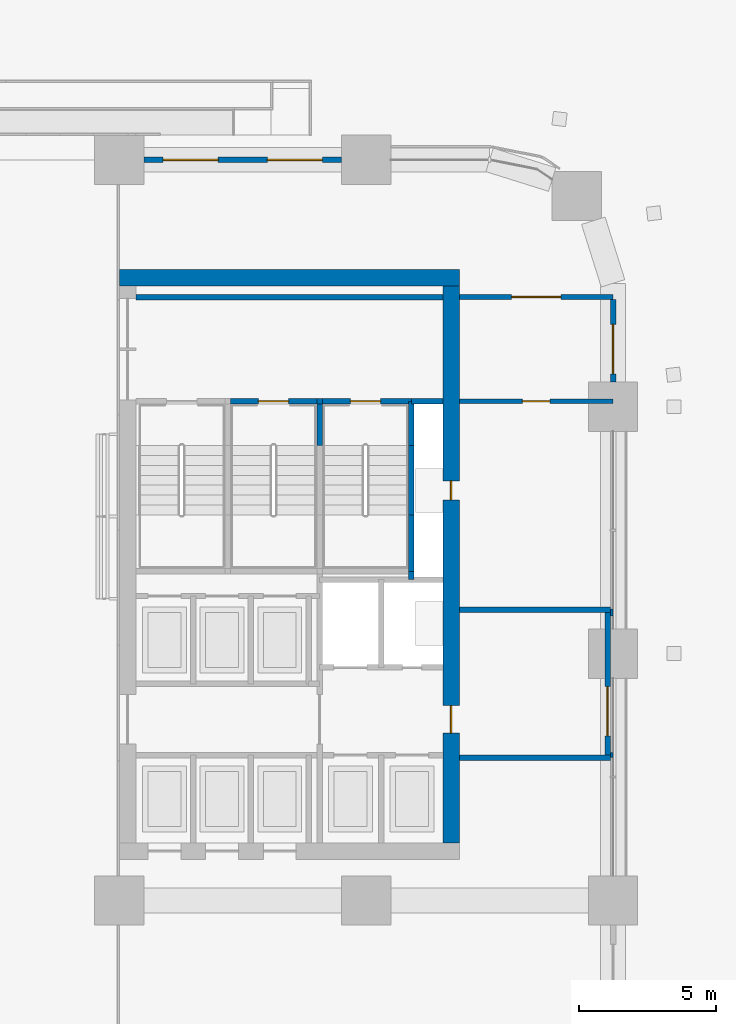
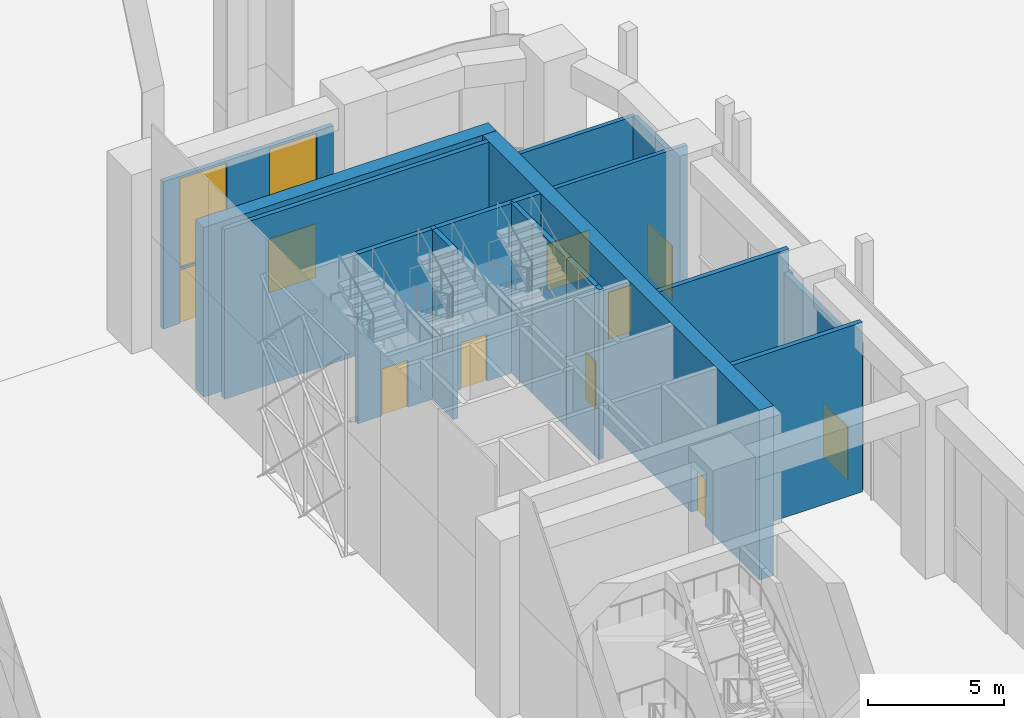
# One storey, part 37 of 64: 21 walls, 10 doors, 2 windows, 12 openings.
"""IFC4 building model written with IfcOpenShell, lengths in metres."""

from ifc_helpers import new_model, si_unit, direction, frame, frame_2d, origin, place, context, subcontext, project, spatial, rectangle, extrude, material, layer, layer_set, type_object, element, fill, save


model = new_model("IFC4")

# Units and contexts
model_context = context("Model", 3, precision=1e-05, world=origin(), true_north=direction((0.0, 1.0)))
body_context = subcontext(model_context, "Body", "Model", "MODEL_VIEW")
ifc_project = project(units=[si_unit("LENGTHUNIT", "METRE"), si_unit("AREAUNIT", "SQUARE_METRE"), si_unit("VOLUMEUNIT", "CUBIC_METRE"), si_unit("PLANEANGLEUNIT", "RADIAN"), si_unit("MASSUNIT", "GRAM", prefix="KILO")], contexts=[model_context])

# Site, building, storey
site_placement = place(None, origin())
site = spatial("IfcSite", under=ifc_project, at=site_placement, CompositionType="ELEMENT")
building_placement = place(site_placement, origin())
building = spatial("IfcBuilding", under=site, at=building_placement, Name="Tessera Arch", CompositionType="ELEMENT")
storey_placement = place(building_placement, origin())
storey = spatial("IfcBuildingStorey", under=building, at=storey_placement, Name="L00", CompositionType="ELEMENT", Elevation=0.0)

# Walls
ifc_material_1 = material(Name="Gypsum board on steel stud", Category="steel")
ifc_layer_1 = layer(ifc_material_1, 0.125)
ifc_layer_set_1 = layer_set([ifc_layer_1], Name="Core partition 125 EI 60")
wall_type_1 = type_object("IfcWallType", Name="Core partition 125 EI 60", PredefinedType="PARTITIONING", material=ifc_layer_set_1)
wall_1_placement = place(storey_placement, frame((36.60009765625, 49.0, 0.0), z_axis=(0.0, 0.0, 1.0), x_axis=(1.0, 0.0, 0.0)))
element("IfcWall", 1, at=wall_1_placement, inside=storey, type_object=wall_type_1, Name="L00 C1 partition wall 37", PredefinedType="PARTITIONING", context=body_context, shape_type="SweptSolid", body=[
    extrude(rectangle(XDim=11.199951171875, YDim=0.199951171875, at=frame_2d((5.60009765625, 0.0))), origin(), (0.0, 0.0, 1.0), 7.590087890625),
])
ifc_material_2 = material(Name="Concrete C70/85", Category="concrete")
ifc_layer_2 = layer(ifc_material_2, 0.60009765625)
ifc_layer_set_2 = layer_set([ifc_layer_2], Name="Core shell wall 600 C70-85")
wall_type_2 = type_object("IfcWallType", Name="Core shell wall 600 C70-85", PredefinedType="SHEAR", material=ifc_layer_set_2)
wall_2_placement = place(storey_placement, frame((36.0, 49.699951171875, 0.0), z_axis=(0.0, 0.0, 1.0), x_axis=(1.0, 0.0, 0.0)))
element("IfcWall", 2, at=wall_2_placement, inside=storey, type_object=wall_type_2, Name="L00 C1 core wall N", PredefinedType="SHEAR", context=body_context, shape_type="SweptSolid", body=[
    extrude(rectangle(XDim=12.39990234375, YDim=0.60009765625, at=frame_2d((6.199951171875, 0.0))), origin(), (0.0, 0.0, 1.0), 7.590087890625),
])

# Wall, openings, doors
wall_3_placement = place(storey_placement, frame((48.10009765625, 29.10009765625, 0.0), z_axis=(0.0, 0.0, 1.0), x_axis=(0.0, 1.0, 0.0)))
wall_3 = element("IfcWall", 3, at=wall_3_placement, inside=storey, type_object=wall_type_2, Name="L00 C1 core wall E", PredefinedType="SHEAR", context=body_context, shape_type="SweptSolid", body=[
    extrude(rectangle(XDim=20.2998046875, YDim=0.60009765625, at=frame_2d((10.14990234375, 0.0))), origin(), (0.0, 0.0, 1.0), 7.590087890625),
])
opening_1_placement = place(wall_3_placement, frame((12.5, 0.0, 0.0)))
opening_1 = element("IfcOpeningElement", 4, at=opening_1_placement, cuts=wall_3, Name="Opening L00-C15", PredefinedType="OPENING", context=body_context, shape_type="SweptSolid", body=[
    extrude(rectangle(XDim=0.699951171875, YDim=2.10009765625, at=frame_2d((0.35009765625, 1.050048828125))), frame((0.0, 0.31005859375, 0.0), z_axis=(0.0, -1.0, 0.0), x_axis=(1.0, 0.0, 0.0)), (0.0, 0.0, 1.0), 0.6201171875),
])
opening_2_placement = place(wall_3_placement, frame((4.0, 0.0, 0.0)))
opening_2 = element("IfcOpeningElement", 5, at=opening_2_placement, cuts=wall_3, Name="Opening L00-C81", PredefinedType="OPENING", context=body_context, shape_type="SweptSolid", body=[
    extrude(rectangle(XDim=1.0, YDim=2.10009765625, at=frame_2d((0.5, 1.050048828125))), frame((0.0, 0.31005859375, 0.0), z_axis=(0.0, -1.0, 0.0), x_axis=(1.0, 0.0, 0.0)), (0.0, 0.0, 1.0), 0.6201171875),
])
ifc_material_3 = material(Name="Steel door leaf", Category="steel")
door_type_1 = type_object("IfcDoorType", Name="Fire command room door FD60 1000 x 2100", OperationType="SINGLE_SWING_LEFT", PredefinedType="DOOR", material=ifc_material_3)
door_1_placement = place(opening_2_placement, origin())
door_1 = element("IfcDoor", 6, at=door_1_placement, inside=storey, type_object=door_type_1, Name="Fire command room door C81 type D11", OperationType="SINGLE_SWING_LEFT", OverallHeight=2.10009765625, OverallWidth=1.0, PredefinedType="DOOR", context=body_context, shape_type="SweptSolid", body=[
    extrude(rectangle(XDim=1.0, YDim=2.10009765625, at=frame_2d((0.5, 1.050048828125))), frame((0.0, 0.02490234375, 0.0), z_axis=(0.0, -1.0, 0.0), x_axis=(1.0, 0.0, 0.0)), (0.0, 0.0, 1.0), 0.050048828125),
])
fill(opening_2, door_1)
ifc_material_4 = material(Name="Steel door leaf", Category="steel")
door_type_2 = type_object("IfcDoorType", Name="Service shaft door FD60 700 x 2100", OperationType="SINGLE_SWING_LEFT", PredefinedType="DOOR", material=ifc_material_4)
door_2_placement = place(opening_1_placement, origin())
door_2 = element("IfcDoor", 7, at=door_2_placement, inside=storey, type_object=door_type_2, Name="L00 C1 door 15 C15 type D07", OperationType="SINGLE_SWING_RIGHT", OverallHeight=2.10009765625, OverallWidth=0.699951171875, PredefinedType="DOOR", context=body_context, shape_type="SweptSolid", body=[
    extrude(rectangle(XDim=0.699951171875, YDim=2.10009765625, at=frame_2d((0.35009765625, 1.050048828125))), frame((0.0, 0.02490234375, 0.0), z_axis=(0.0, -1.0, 0.0), x_axis=(1.0, 0.0, 0.0)), (0.0, 0.0, 1.0), 0.050048828125),
])
fill(opening_1, door_2)

# Wall
ifc_material_5 = material(Name="Gypsum board on deep steel stud with mineral wool", Category="steel")
ifc_layer_3 = layer(ifc_material_5, 0.175048828125)
ifc_layer_set_3 = layer_set([ifc_layer_3], Name="Corridor wall 175 EI 60")
wall_type_3 = type_object("IfcWallType", Name="Corridor wall 175 EI 60", PredefinedType="PARTITIONING", material=ifc_layer_set_3)
wall_4_placement = place(storey_placement, frame((53.89990234375, 32.300048828125, 0.0), z_axis=(0.0, 0.0, 1.0), x_axis=(1.0, 0.0, 0.0)))
element("IfcWall", 8, at=wall_4_placement, inside=storey, type_object=wall_type_3, Name="L00 partition 10", PredefinedType="PARTITIONING", context=body_context, shape_type="SweptSolid", body=[
    extrude(rectangle(XDim=0.10009765625, YDim=0.175048828125, at=frame_2d((0.050048828125, 0.0))), origin(), (0.0, 0.0, 1.0), 6.590087890625),
])

# Wall, opening, door
wall_5_placement = place(storey_placement, frame((48.39990234375, 45.199951171875, 0.0), z_axis=(0.0, 0.0, 1.0), x_axis=(1.0, 0.0, 0.0)))
wall_5 = element("IfcWall", 9, at=wall_5_placement, inside=storey, type_object=wall_type_3, Name="L00 partition 12", PredefinedType="PARTITIONING", context=body_context, shape_type="SweptSolid", body=[
    extrude(rectangle(XDim=5.60009765625, YDim=0.175048828125, at=frame_2d((2.800048828125, 0.0))), origin(), (0.0, 0.0, 1.0), 7.590087890625),
])
opening_3_placement = place(wall_5_placement, frame((2.300048828125, 0.0, 0.0)))
opening_3 = element("IfcOpeningElement", 10, at=opening_3_placement, cuts=wall_5, Name="Opening L00-D013", PredefinedType="OPENING", context=body_context, shape_type="SweptSolid", body=[
    extrude(rectangle(XDim=1.0, YDim=2.10009765625, at=frame_2d((0.5, 1.050048828125))), frame((0.0, 0.097412109375, 0.0), z_axis=(0.0, -1.0, 0.0), x_axis=(1.0, 0.0, 0.0)), (0.0, 0.0, 1.0), 0.195068359375),
])
ifc_material_6 = material(Name="Fire-rated door leaf")
door_type_3 = type_object("IfcDoorType", Name="Entrance door FD30S 1000 x 2100", OperationType="SINGLE_SWING_LEFT", PredefinedType="DOOR", material=ifc_material_6)
door_3_placement = place(opening_3_placement, origin())
door_3 = element("IfcDoor", 11, at=door_3_placement, inside=storey, type_object=door_type_3, Name="L00 door D013 type D03", OperationType="SINGLE_SWING_LEFT", OverallHeight=2.10009765625, OverallWidth=1.0, PredefinedType="DOOR", context=body_context, shape_type="SweptSolid", body=[
    extrude(rectangle(XDim=1.0, YDim=2.10009765625, at=frame_2d((0.5, 1.050048828125))), frame((0.0, 0.02490234375, 0.0), z_axis=(0.0, -1.0, 0.0), x_axis=(1.0, 0.0, 0.0)), (0.0, 0.0, 1.0), 0.050048828125),
])
fill(opening_3, door_3)

wall_6_placement = place(storey_placement, frame((48.39990234375, 49.0, 0.0), z_axis=(0.0, 0.0, 1.0), x_axis=(1.0, 0.0, 0.0)))
wall_6 = element("IfcWall", 12, at=wall_6_placement, inside=storey, type_object=wall_type_3, Name="L00 partition 13", PredefinedType="PARTITIONING", context=body_context, shape_type="SweptSolid", body=[
    extrude(rectangle(XDim=5.60009765625, YDim=0.175048828125, at=frame_2d((2.800048828125, 0.0))), origin(), (0.0, 0.0, 1.0), 6.590087890625),
])
opening_4_placement = place(wall_6_placement, frame((1.89990234375, 0.0, 0.0)))
opening_4 = element("IfcOpeningElement", 13, at=opening_4_placement, cuts=wall_6, Name="Opening L00-D004", PredefinedType="OPENING", context=body_context, shape_type="SweptSolid", body=[
    extrude(rectangle(XDim=1.800048828125, YDim=2.10009765625, at=frame_2d((0.89990234375, 1.050048828125))), frame((0.0, 0.097412109375, 0.0), z_axis=(0.0, -1.0, 0.0), x_axis=(1.0, 0.0, 0.0)), (0.0, 0.0, 1.0), 0.195068359375),
])
ifc_material_7 = material(Name="Timber door leaf", Category="wood")
door_type_4 = type_object("IfcDoorType", Name="Double door 1800 x 2100", OperationType="DOUBLE_DOOR_SINGLE_SWING", PredefinedType="DOOR", material=ifc_material_7)
door_4_placement = place(opening_4_placement, origin())
door_4 = element("IfcDoor", 14, at=door_4_placement, inside=storey, type_object=door_type_4, Name="L00 door D004 type D13", OperationType="DOUBLE_DOOR_SINGLE_SWING", OverallHeight=2.10009765625, OverallWidth=1.800048828125, PredefinedType="DOOR", context=body_context, shape_type="SweptSolid", body=[
    extrude(rectangle(XDim=1.800048828125, YDim=2.10009765625, at=frame_2d((0.89990234375, 1.050048828125))), frame((0.0, 0.02490234375, 0.0), z_axis=(0.0, -1.0, 0.0), x_axis=(1.0, 0.0, 0.0)), (0.0, 0.0, 1.0), 0.050048828125),
])
fill(opening_4, door_4)

ifc_material_8 = material(Name="Aluminium cladding pale metal anodised", Category="aluminium")
ifc_layer_4 = layer(ifc_material_8, 0.199951171875)
ifc_layer_set_4 = layer_set([ifc_layer_4], Name="Envelope wall pale metal")
wall_type_4 = type_object("IfcWallType", Name="Envelope wall pale metal", PredefinedType="SOLIDWALL", material=ifc_layer_set_4)
wall_7_placement = place(storey_placement, frame((54.0, 45.89990234375, 0.0), z_axis=(0.0, 0.0, 1.0), x_axis=(0.0, 1.0, 0.0)))
wall_7 = element("IfcWall", 15, at=wall_7_placement, inside=storey, type_object=wall_type_4, Name="Door bay wall E54.0/4 L00", PredefinedType="SOLIDWALL", context=body_context, shape_type="SweptSolid", body=[
    extrude(rectangle(XDim=3.0126953125, YDim=0.199951171875, at=frame_2d((1.50634765625, 0.0))), origin(), (0.0, 0.0, 1.0), 6.590087890625),
])
opening_5_placement = place(wall_7_placement, frame((2.10009765625, 0.0, 0.0), z_axis=(0.0, 0.0, 1.0), x_axis=(-1.0, 0.0, 0.0)))
opening_5 = element("IfcOpeningElement", 16, at=opening_5_placement, cuts=wall_7, Name="Opening L00-X05", PredefinedType="OPENING", context=body_context, shape_type="SweptSolid", body=[
    extrude(rectangle(XDim=1.800048828125, YDim=2.39990234375, at=frame_2d((0.89990234375, 1.199951171875))), frame((0.0, 0.10986328125, 0.0), z_axis=(0.0, -1.0, 0.0), x_axis=(1.0, 0.0, 0.0)), (0.0, 0.0, 1.0), 0.219970703125),
])
ifc_material_9 = material(Name="Aluminium frame and clear glass", Category="aluminium")
door_type_5 = type_object("IfcDoorType", Name="Stair discharge door double leaf", OperationType="DOUBLE_DOOR_SINGLE_SWING", PredefinedType="DOOR", material=ifc_material_9)
door_5_placement = place(opening_5_placement, origin())
door_5 = element("IfcDoor", 17, at=door_5_placement, inside=storey, type_object=door_type_5, Name="Door XD-S1c X05", OperationType="DOUBLE_DOOR_SINGLE_SWING", OverallHeight=2.39990234375, OverallWidth=1.800048828125, PredefinedType="DOOR", context=body_context, shape_type="SweptSolid", body=[
    extrude(rectangle(XDim=1.800048828125, YDim=2.39990234375, at=frame_2d((0.89990234375, 1.199951171875))), frame((0.0, 0.02490234375, 0.0), z_axis=(0.0, -1.0, 0.0), x_axis=(1.0, 0.0, 0.0)), (0.0, 0.0, 1.0), 0.050048828125),
])
fill(opening_5, door_5)

# Wall, openings, doors, windows
wall_8_placement = place(storey_placement, frame((44.10009765625, 54.0, 0.0), z_axis=(0.0, 0.0, 1.0), x_axis=(-1.0, 0.0, 0.0)))
wall_8 = element("IfcWall", 18, at=wall_8_placement, inside=storey, type_object=wall_type_4, Name="Door bay wall N54.36/1 L00", PredefinedType="SOLIDWALL", context=body_context, shape_type="SweptSolid", body=[
    extrude(rectangle(XDim=7.2001953125, YDim=0.199951171875, at=frame_2d((3.60009765625, 0.0))), origin(), (0.0, 0.0, 1.0), 6.590087890625),
])
opening_6_placement = place(wall_8_placement, frame((0.699951171875, 0.0, 0.0)))
opening_6 = element("IfcOpeningElement", 19, at=opening_6_placement, cuts=wall_8, Name="Opening L00-X08", PredefinedType="OPENING", context=body_context, shape_type="SweptSolid", body=[
    extrude(rectangle(XDim=2.0, YDim=2.39990234375, at=frame_2d((1.0, 1.199951171875))), frame((0.0, 0.10986328125, 0.0), z_axis=(0.0, -1.0, 0.0), x_axis=(1.0, 0.0, 0.0)), (0.0, 0.0, 1.0), 0.219970703125),
])
opening_7_placement = place(wall_8_placement, frame((0.699951171875, 0.0, 2.5)))
opening_7 = element("IfcOpeningElement", 20, at=opening_7_placement, cuts=wall_8, Name="Opening L00-FL07", PredefinedType="OPENING", context=body_context, shape_type="SweptSolid", body=[
    extrude(rectangle(XDim=2.0, YDim=3.989990234375, at=frame_2d((1.0, 1.9951171875))), frame((0.0, 0.10986328125, 0.0), z_axis=(0.0, -1.0, 0.0), x_axis=(1.0, 0.0, 0.0)), (0.0, 0.0, 1.0), 0.219970703125),
])
opening_8_placement = place(wall_8_placement, frame((4.5, 0.0, 0.0)))
opening_8 = element("IfcOpeningElement", 21, at=opening_8_placement, cuts=wall_8, Name="Opening L00-X09", PredefinedType="OPENING", context=body_context, shape_type="SweptSolid", body=[
    extrude(rectangle(XDim=2.0, YDim=2.39990234375, at=frame_2d((1.0, 1.199951171875))), frame((0.0, 0.10986328125, 0.0), z_axis=(0.0, -1.0, 0.0), x_axis=(1.0, 0.0, 0.0)), (0.0, 0.0, 1.0), 0.219970703125),
])
opening_9_placement = place(wall_8_placement, frame((4.5, 0.0, 2.5)))
opening_9 = element("IfcOpeningElement", 22, at=opening_9_placement, cuts=wall_8, Name="Opening L00-FL08", PredefinedType="OPENING", context=body_context, shape_type="SweptSolid", body=[
    extrude(rectangle(XDim=2.0, YDim=3.989990234375, at=frame_2d((1.0, 1.9951171875))), frame((0.0, 0.10986328125, 0.0), z_axis=(0.0, -1.0, 0.0), x_axis=(1.0, 0.0, 0.0)), (0.0, 0.0, 1.0), 0.219970703125),
])
ifc_material_10 = material(Name="Aluminium frame and clear glass", Category="aluminium")
door_type_6 = type_object("IfcDoorType", Name="Entrance door glazed double leaf", OperationType="DOUBLE_DOOR_SINGLE_SWING", PredefinedType="DOOR", material=ifc_material_10)
door_6_placement = place(opening_6_placement, origin())
door_6 = element("IfcDoor", 23, at=door_6_placement, inside=storey, type_object=door_type_6, Name="Door L00-X-N54.36/1-1 X08", OperationType="DOUBLE_DOOR_SINGLE_SWING", OverallHeight=2.39990234375, OverallWidth=2.0, PredefinedType="DOOR", context=body_context, shape_type="SweptSolid", body=[
    extrude(rectangle(XDim=2.0, YDim=2.39990234375, at=frame_2d((1.0, 1.199951171875))), frame((0.0, 0.02490234375, 0.0), z_axis=(0.0, -1.0, 0.0), x_axis=(1.0, 0.0, 0.0)), (0.0, 0.0, 1.0), 0.050048828125),
])
fill(opening_6, door_6)
door_7_placement = place(opening_8_placement, origin())
door_7 = element("IfcDoor", 24, at=door_7_placement, inside=storey, type_object=door_type_6, Name="Door L00-X-N54.36/1-2 X09", OperationType="DOUBLE_DOOR_SINGLE_SWING", OverallHeight=2.39990234375, OverallWidth=2.0, PredefinedType="DOOR", context=body_context, shape_type="SweptSolid", body=[
    extrude(rectangle(XDim=2.0, YDim=2.39990234375, at=frame_2d((1.0, 1.199951171875))), frame((0.0, 0.02490234375, 0.0), z_axis=(0.0, -1.0, 0.0), x_axis=(1.0, 0.0, 0.0)), (0.0, 0.0, 1.0), 0.050048828125),
])
fill(opening_8, door_7)
ifc_material_11 = material(Name="Clear low-e glass in aluminium frame", Category="aluminium")
window_type = type_object("IfcWindowType", Name="Fanlight fixed clear glass", PartitioningType="SINGLE_PANEL", PredefinedType="WINDOW", material=ifc_material_11)
window_1_placement = place(opening_7_placement, origin())
window_1 = element("IfcWindow", 25, at=window_1_placement, inside=storey, type_object=window_type, Name="Fanlight L00-X-N54.36/1-1", OverallHeight=3.989990234375, OverallWidth=2.0, PartitioningType="SINGLE_PANEL", PredefinedType="WINDOW", context=body_context, shape_type="SweptSolid", body=[
    extrude(rectangle(XDim=2.0, YDim=3.989990234375, at=frame_2d((1.0, 1.9951171875))), frame((0.0, 0.030029296875, 0.0), z_axis=(0.0, -1.0, 0.0), x_axis=(1.0, 0.0, 0.0)), (0.0, 0.0, 1.0), 0.06005859375),
])
fill(opening_7, window_1)
window_2_placement = place(opening_9_placement, origin())
window_2 = element("IfcWindow", 26, at=window_2_placement, inside=storey, type_object=window_type, Name="Fanlight L00-X-N54.36/1-2", OverallHeight=3.989990234375, OverallWidth=2.0, PartitioningType="SINGLE_PANEL", PredefinedType="WINDOW", context=body_context, shape_type="SweptSolid", body=[
    extrude(rectangle(XDim=2.0, YDim=3.989990234375, at=frame_2d((1.0, 1.9951171875))), frame((0.0, 0.030029296875, 0.0), z_axis=(0.0, -1.0, 0.0), x_axis=(1.0, 0.0, 0.0)), (0.0, 0.0, 1.0), 0.06005859375),
])
fill(opening_9, window_2)

# Walls
ifc_material_12 = material(Name="Double gypsum board on twin steel stud with acoustic mineral wool", Category="steel")
ifc_layer_5 = layer(ifc_material_12, 0.25)
ifc_layer_set_5 = layer_set([ifc_layer_5], Name="Party wall 250 EI 60")
wall_type_5 = type_object("IfcWallType", Name="Party wall 250 EI 60", PredefinedType="PARTITIONING", material=ifc_layer_set_5)
wall_9_placement = place(storey_placement, frame((53.89990234375, 37.5, 0.0), z_axis=(0.0, 0.0, 1.0), x_axis=(1.0, 0.0, 0.0)))
element("IfcWall", 27, at=wall_9_placement, inside=storey, type_object=wall_type_5, Name="L00 partition 39", PredefinedType="PARTITIONING", context=body_context, shape_type="SweptSolid", body=[
    extrude(rectangle(XDim=0.10009765625, YDim=0.25, at=frame_2d((0.050048828125, 0.0))), origin(), (0.0, 0.0, 1.0), 6.590087890625),
])
ifc_material_13 = material(Name="Concrete C40/50", Category="concrete")
ifc_layer_6 = layer(ifc_material_13, 0.199951171875)
ifc_layer_set_6 = layer_set([ifc_layer_6], Name="Shaft wall 200 EI 120")
wall_type_6 = type_object("IfcWallType", Name="Shaft wall 200 EI 120", PredefinedType="SOLIDWALL", material=ifc_layer_set_6)
wall_10_placement = place(storey_placement, frame((46.64990234375, 38.699951171875, 0.0), z_axis=(0.0, 0.0, 1.0), x_axis=(0.0, 1.0, 0.0)))
element("IfcWall", 28, at=wall_10_placement, inside=storey, type_object=wall_type_6, Name="L00 C1 shaft wall 16", PredefinedType="SOLIDWALL", context=body_context, shape_type="SweptSolid", body=[
    extrude(rectangle(XDim=0.300048828125, YDim=0.199951171875, at=frame_2d((0.14990234375, 0.0))), origin(), (0.0, 0.0, 1.0), 7.590087890625),
])
wall_11_placement = place(storey_placement, frame((46.64990234375, 45.199951171875, 0.0), z_axis=(0.0, 0.0, 1.0), x_axis=(1.0, 0.0, 0.0)))
element("IfcWall", 29, at=wall_11_placement, inside=storey, type_object=wall_type_6, Name="L00 C1 shaft wall 31", PredefinedType="SOLIDWALL", context=body_context, shape_type="SweptSolid", body=[
    extrude(rectangle(XDim=1.150146484375, YDim=0.199951171875, at=frame_2d((0.5751953125, 0.0))), origin(), (0.0, 0.0, 1.0), 7.590087890625),
])
for number, where, z_axis, x_axis, name in (
    (30, (48.39990234375, 32.199951171875, 0.0), (0.0, 0.0, 1.0), (1.0, 0.0, 0.0), "Fire command room wall S"),
    (31, (48.39990234375, 37.60009765625, 0.0), (0.0, 0.0, 1.0), (1.0, 0.0, 0.0), "Fire command room wall N"),
):
    element("IfcWall", number, at=place(storey_placement, frame(where, z_axis=z_axis, x_axis=x_axis)), inside=storey, type_object=wall_type_6, Name=name, PredefinedType="SOLIDWALL", context=body_context, shape_type="SweptSolid", body=[
        extrude(rectangle(XDim=5.5, YDim=0.199951171875, at=frame_2d((2.75, 0.0))), origin(), (0.0, 0.0, 1.0), 7.590087890625),
    ])

# Wall, opening, door
wall_12_placement = place(storey_placement, frame((53.800048828125, 32.300048828125, 0.0), z_axis=(0.0, 0.0, 1.0), x_axis=(0.0, 1.0, 0.0)))
wall_12 = element("IfcWall", 32, at=wall_12_placement, inside=storey, type_object=wall_type_6, Name="Fire command room wall E", PredefinedType="SOLIDWALL", context=body_context, shape_type="SweptSolid", body=[
    extrude(rectangle(XDim=5.199951171875, YDim=0.199951171875, at=frame_2d((2.60009765625, 0.0))), origin(), (0.0, 0.0, 1.0), 6.590087890625),
])
opening_10_placement = place(wall_12_placement, frame((2.5, 0.0, 0.0), z_axis=(0.0, 0.0, 1.0), x_axis=(-1.0, 0.0, 0.0)))
opening_10 = element("IfcOpeningElement", 33, at=opening_10_placement, cuts=wall_12, Name="Opening L00-C82", PredefinedType="OPENING", context=body_context, shape_type="SweptSolid", body=[
    extrude(rectangle(XDim=1.800048828125, YDim=2.39990234375, at=frame_2d((0.89990234375, 1.199951171875))), frame((0.0, 0.10986328125, 0.0), z_axis=(0.0, -1.0, 0.0), x_axis=(1.0, 0.0, 0.0)), (0.0, 0.0, 1.0), 0.219970703125),
])
ifc_material_14 = material(Name="Steel door leaf", Category="steel")
door_type_7 = type_object("IfcDoorType", Name="Stair discharge door 1800 x 2400", OperationType="DOUBLE_DOOR_SINGLE_SWING", PredefinedType="DOOR", material=ifc_material_14)
door_8_placement = place(opening_10_placement, origin())
door_8 = element("IfcDoor", 34, at=door_8_placement, inside=storey, type_object=door_type_7, Name="Fire command room exit door C82 type D10", OperationType="DOUBLE_DOOR_SINGLE_SWING", OverallHeight=2.39990234375, OverallWidth=1.800048828125, PredefinedType="DOOR", context=body_context, shape_type="SweptSolid", body=[
    extrude(rectangle(XDim=1.800048828125, YDim=2.39990234375, at=frame_2d((0.89990234375, 1.199951171875))), frame((0.0, 0.02490234375, 0.0), z_axis=(0.0, -1.0, 0.0), x_axis=(1.0, 0.0, 0.0)), (0.0, 0.0, 1.0), 0.050048828125),
])
fill(opening_10, door_8)

# Walls
ifc_material_15 = material(Name="Concrete C40/50", Category="concrete")
ifc_layer_7 = layer(ifc_material_15, 0.199951171875)
ifc_layer_set_7 = layer_set([ifc_layer_7], Name="Stair well wall 200 REI 180")
wall_type_7 = type_object("IfcWallType", Name="Stair well wall 200 REI 180", PredefinedType="SOLIDWALL", material=ifc_layer_set_7)
wall_13_placement = place(storey_placement, frame((43.300048828125, 43.580078125, 0.0), z_axis=(0.0, 0.0, 1.0), x_axis=(0.0, 1.0, 0.0)))
element("IfcWall", 35, at=wall_13_placement, inside=storey, type_object=wall_type_7, Name="L00 C1 shaft wall 13", PredefinedType="SOLIDWALL", context=body_context, shape_type="SweptSolid", body=[
    extrude(rectangle(XDim=1.619873046875, YDim=0.199951171875, at=frame_2d((0.81005859375, 0.0))), origin(), (0.0, 0.0, 1.0), 7.590087890625),
])
wall_14_placement = place(storey_placement, frame((46.64990234375, 39.0, 0.0), z_axis=(0.0, 0.0, 1.0), x_axis=(0.0, 1.0, 0.0)))
element("IfcWall", 36, at=wall_14_placement, inside=storey, type_object=wall_type_7, Name="L00 C1 shaft wall 17", PredefinedType="SOLIDWALL", context=body_context, shape_type="SweptSolid", body=[
    extrude(rectangle(XDim=2.06005859375, YDim=0.199951171875, at=frame_2d((1.030029296875, 0.0))), origin(), (0.0, 0.0, 1.0), 7.590087890625),
])
wall_15_placement = place(storey_placement, frame((46.64990234375, 41.06005859375, 0.0), z_axis=(0.0, 0.0, 1.0), x_axis=(0.0, 1.0, 0.0)))
element("IfcWall", 37, at=wall_15_placement, inside=storey, type_object=wall_type_7, Name="L00 C1 shaft wall 18", PredefinedType="SOLIDWALL", context=body_context, shape_type="SweptSolid", body=[
    extrude(rectangle(XDim=2.52001953125, YDim=0.199951171875, at=frame_2d((1.260009765625, 0.0))), origin(), (0.0, 0.0, 1.0), 7.590087890625),
])
wall_16_placement = place(storey_placement, frame((46.64990234375, 43.580078125, 0.0), z_axis=(0.0, 0.0, 1.0), x_axis=(0.0, 1.0, 0.0)))
element("IfcWall", 38, at=wall_16_placement, inside=storey, type_object=wall_type_7, Name="L00 C1 shaft wall 19", PredefinedType="SOLIDWALL", context=body_context, shape_type="SweptSolid", body=[
    extrude(rectangle(XDim=1.619873046875, YDim=0.199951171875, at=frame_2d((0.81005859375, 0.0))), origin(), (0.0, 0.0, 1.0), 7.590087890625),
])

# Wall, opening, door
wall_17_placement = place(storey_placement, frame((40.050048828125, 45.199951171875, 0.0), z_axis=(0.0, 0.0, 1.0), x_axis=(1.0, 0.0, 0.0)))
wall_17 = element("IfcWall", 39, at=wall_17_placement, inside=storey, type_object=wall_type_7, Name="L00 C1 shaft wall 34", PredefinedType="SOLIDWALL", context=body_context, shape_type="SweptSolid", body=[
    extrude(rectangle(XDim=3.14990234375, YDim=0.199951171875, at=frame_2d((1.574951171875, 0.0))), origin(), (0.0, 0.0, 1.0), 7.590087890625),
])
opening_11_placement = place(wall_17_placement, frame((1.02490234375, 0.0, 0.0)))
opening_11 = element("IfcOpeningElement", 40, at=opening_11_placement, cuts=wall_17, Name="Opening L00-C13", PredefinedType="OPENING", context=body_context, shape_type="SweptSolid", body=[
    extrude(rectangle(XDim=1.10009765625, YDim=2.10009765625, at=frame_2d((0.550048828125, 1.050048828125))), frame((0.0, 0.10986328125, 0.0), z_axis=(0.0, -1.0, 0.0), x_axis=(1.0, 0.0, 0.0)), (0.0, 0.0, 1.0), 0.219970703125),
])
ifc_material_16 = material(Name="Steel door leaf", Category="steel")
door_type_8 = type_object("IfcDoorType", Name="Stair door FD60 1100 x 2100", OperationType="SINGLE_SWING_LEFT", PredefinedType="DOOR", material=ifc_material_16)
door_9_placement = place(opening_11_placement, origin())
door_9 = element("IfcDoor", 41, at=door_9_placement, inside=storey, type_object=door_type_8, Name="L00 C1 door 13 C13 type D05", OperationType="SINGLE_SWING_LEFT", OverallHeight=2.10009765625, OverallWidth=1.10009765625, PredefinedType="DOOR", context=body_context, shape_type="SweptSolid", body=[
    extrude(rectangle(XDim=1.10009765625, YDim=2.10009765625, at=frame_2d((0.550048828125, 1.050048828125))), frame((0.0, 0.02490234375, 0.0), z_axis=(0.0, -1.0, 0.0), x_axis=(1.0, 0.0, 0.0)), (0.0, 0.0, 1.0), 0.050048828125),
])
fill(opening_11, door_9)

# Wall
wall_18_placement = place(storey_placement, frame((43.199951171875, 45.199951171875, 0.0), z_axis=(0.0, 0.0, 1.0), x_axis=(1.0, 0.0, 0.0)))
element("IfcWall", 42, at=wall_18_placement, inside=storey, type_object=wall_type_7, Name="L00 C1 shaft wall 35", PredefinedType="SOLIDWALL", context=body_context, shape_type="SweptSolid", body=[
    extrude(rectangle(XDim=0.199951171875, YDim=0.199951171875, at=frame_2d((0.10009765625, 0.0))), origin(), (0.0, 0.0, 1.0), 7.590087890625),
])

# Wall, opening, door
wall_19_placement = place(storey_placement, frame((43.39990234375, 45.199951171875, 0.0), z_axis=(0.0, 0.0, 1.0), x_axis=(1.0, 0.0, 0.0)))
wall_19 = element("IfcWall", 43, at=wall_19_placement, inside=storey, type_object=wall_type_7, Name="L00 C1 shaft wall 36", PredefinedType="SOLIDWALL", context=body_context, shape_type="SweptSolid", body=[
    extrude(rectangle(XDim=3.25, YDim=0.199951171875, at=frame_2d((1.625, 0.0))), origin(), (0.0, 0.0, 1.0), 7.590087890625),
])
opening_12_placement = place(wall_19_placement, frame((1.02490234375, 0.0, 0.0)))
opening_12 = element("IfcOpeningElement", 44, at=opening_12_placement, cuts=wall_19, Name="Opening L00-C14", PredefinedType="OPENING", context=body_context, shape_type="SweptSolid", body=[
    extrude(rectangle(XDim=1.10009765625, YDim=2.10009765625, at=frame_2d((0.550048828125, 1.050048828125))), frame((0.0, 0.10986328125, 0.0), z_axis=(0.0, -1.0, 0.0), x_axis=(1.0, 0.0, 0.0)), (0.0, 0.0, 1.0), 0.219970703125),
])
door_10_placement = place(opening_12_placement, origin())
door_10 = element("IfcDoor", 45, at=door_10_placement, inside=storey, type_object=door_type_8, Name="L00 C1 door 14 C14 type D05", OperationType="SINGLE_SWING_LEFT", OverallHeight=2.10009765625, OverallWidth=1.10009765625, PredefinedType="DOOR", context=body_context, shape_type="SweptSolid", body=[
    extrude(rectangle(XDim=1.10009765625, YDim=2.10009765625, at=frame_2d((0.550048828125, 1.050048828125))), frame((0.0, 0.02490234375, 0.0), z_axis=(0.0, -1.0, 0.0), x_axis=(1.0, 0.0, 0.0)), (0.0, 0.0, 1.0), 0.050048828125),
])
fill(opening_12, door_10)

save(model, "model.ifc")
